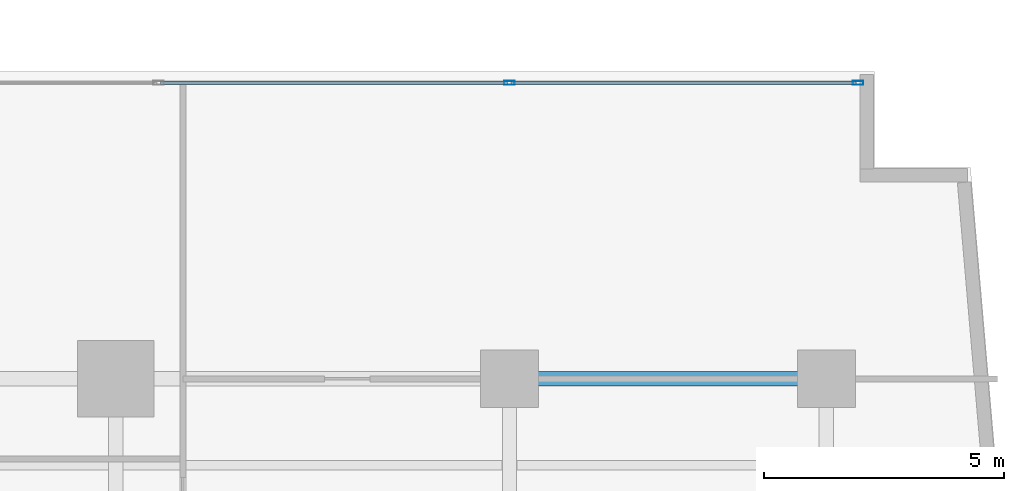
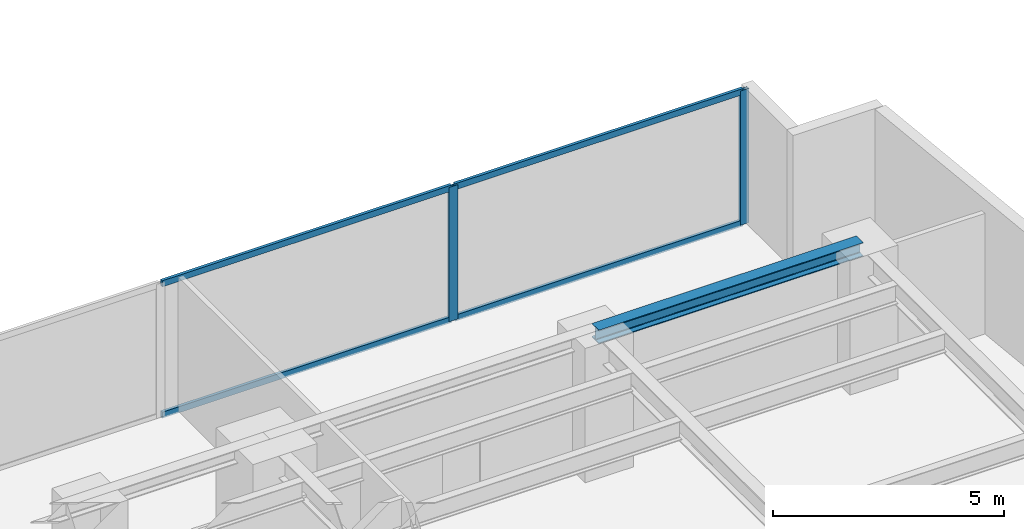
# One storey, part 14 of 30: 6 members, 1 beam, 1 element without a shape of its own.
"""IFC4 building model written with IfcOpenShell, lengths in metres."""

from ifc_helpers import new_model, si_unit, direction, frame, origin, origin_with_axes, origin_2d, place, context, subcontext, project, spatial, hollow_rectangle, i_section, extrude, source, transform, mapped, material, layer, layer_set, material_profile, profile_set, type_object, element, aggregate, save


model = new_model("IFC4")

# Units and contexts
model_context = context("Model", 3, precision=1e-05, world=origin(), true_north=direction((0.0, 1.0)))
body_context = subcontext(model_context, "Body", "Model", "MODEL_VIEW")
ifc_project = project(units=[si_unit("LENGTHUNIT", "METRE"), si_unit("AREAUNIT", "SQUARE_METRE"), si_unit("VOLUMEUNIT", "CUBIC_METRE"), si_unit("PLANEANGLEUNIT", "RADIAN"), si_unit("MASSUNIT", "GRAM", prefix="KILO")], contexts=[model_context])

# Site, building, storey
site_placement = place(None, origin())
site = spatial("IfcSite", under=ifc_project, at=site_placement, CompositionType="ELEMENT")
building_placement = place(site_placement, origin())
building = spatial("IfcBuilding", under=site, at=building_placement, Name="Kolvaren Waterfront Exchange", CompositionType="ELEMENT")
storey_placement = place(building_placement, frame((0.0, 0.0, 71.39990234375)))
storey = spatial("IfcBuildingStorey", under=building, at=storey_placement, Name="L18", CompositionType="ELEMENT", Elevation=71.39990234375)

# Beam
ifc_material_1 = material(Name="Steel S355", Category="steel")
ifc_material_profile_1 = material_profile(ifc_material_1, i_section(OverallWidth=0.300048828125, OverallDepth=0.360107421875, WebThickness=0.012451171875, FlangeThickness=0.0224609375, FilletRadius=0.027099609375, at=origin_2d()), Name="HEB360")
ifc_profile_set_1 = profile_set([ifc_material_profile_1], Name="Steel S355")
beam_type = type_object("IfcBeamType", Name="STR-BM-HEB360", PredefinedType="SPANDREL", material=ifc_profile_set_1)
beam_placement = place(storey_placement, frame((53.800048828125, 17.39990234375, 3.360107421875), z_axis=(1.0, 0.0, 0.0), x_axis=(0.0, 1.0, 0.0)))
element("IfcBeam", 1, at=beam_placement, inside=storey, type_object=beam_type, Name="L18 east-arm spandrel N5", PredefinedType="SPANDREL", context=body_context, shape_type="SweptSolid", body=[
    extrude(i_section(OverallWidth=0.300048828125, OverallDepth=0.360107421875, WebThickness=0.012451171875, FlangeThickness=0.0224609375, FilletRadius=0.027099609375, at=origin_2d()), origin(), (0.0, 0.0, 1.0), 6.599853515625),
])

# Curtain wall, members
ifc_material_2 = material(Name="Anodised bronze aluminium 6063-T6", Category="aluminium")
ifc_layer = layer(ifc_material_2, 0.219970703125, Name="Anodised bronze aluminium 6063-T6")
ifc_layer_set = layer_set([ifc_layer], Name="Anodised bronze aluminium 6063-T6")
curtain_wall_type = type_object("IfcCurtainWallType", Name="ARC-CW-SYS1", PredefinedType="USERDEFINED", material=ifc_layer_set)
curtain_wall_placement = place(storey_placement, origin())
curtain_wall = element("IfcCurtainWall", 2, at=curtain_wall_placement, inside=storey, type_object=curtain_wall_type, Name="L18 stick curtain wall CW1 (CW-L18-EN)", ObjectType="STICK CURTAIN WALL", PredefinedType="USERDEFINED")
ifc_material_3 = material(Name="Anodised aluminium 6063-T6", Category="aluminium")
ifc_material_profile_2 = material_profile(ifc_material_3, hollow_rectangle(XDim=0.074951171875, YDim=0.159912109375, WallThickness=0.00439453125, at=origin_2d()), Name="ALU-TRN-160x75x4.5")
ifc_profile_set_2 = profile_set([ifc_material_profile_2], Name="Anodised aluminium 6063-T6")
member_type_1 = type_object("IfcMemberType", Name="ARC-CWT-160", PredefinedType="USERDEFINED", material=ifc_profile_set_2)
shared_shape_1 = source(origin_with_axes(), body_context, "Body", "SweptSolid", [
    extrude(hollow_rectangle(XDim=0.074951171875, YDim=0.159912109375, WallThickness=0.00439453125, at=origin_2d()), origin(), (0.0, 0.0, 1.0), 7.1826171875),
])
member_1_placement = place(storey_placement, frame((53.83740234375, 23.56005859375, 0.03759765625), z_axis=(1.0, 0.0, 0.0), x_axis=(0.0, 1.0, 0.0)))
member_1 = element("IfcMember", 3, at=member_1_placement, type_object=member_type_1, Name="CW1 transom 4.1", ObjectType="TRANSOM", PredefinedType="USERDEFINED", context=body_context, shape_type="MappedRepresentation", body=[
    mapped(shared_shape_1, transform((0.0, 0.0, 0.0), x_axis=(1.0, 0.0, 0.0), y_axis=(0.0, 1.0, 0.0), z_axis=(0.0, 0.0, 1.0), scale=1.0)),
])
member_2_placement = place(storey_placement, frame((53.83740234375, 23.56005859375, 3.502685546875), z_axis=(1.0, 0.0, 0.0), x_axis=(0.0, 1.0, 0.0)))
member_2 = element("IfcMember", 4, at=member_2_placement, type_object=member_type_1, Name="CW1 transom 4.2", ObjectType="TRANSOM", PredefinedType="USERDEFINED", context=body_context, shape_type="MappedRepresentation", body=[
    mapped(shared_shape_1, transform((0.0, 0.0, 0.0), x_axis=(1.0, 0.0, 0.0), y_axis=(0.0, 1.0, 0.0), z_axis=(0.0, 0.0, 1.0), scale=1.0)),
])
shared_shape_2 = source(origin_with_axes(), body_context, "Body", "SweptSolid", [
    extrude(hollow_rectangle(XDim=0.074951171875, YDim=0.159912109375, WallThickness=0.00439453125, at=origin_2d()), origin(), (0.0, 0.0, 1.0), 7.22265625),
])
member_3_placement = place(storey_placement, frame((46.534912109375, 23.56005859375, 0.03759765625), z_axis=(1.0, 0.0, 0.0), x_axis=(0.0, 1.0, 0.0)))
member_3 = element("IfcMember", 5, at=member_3_placement, type_object=member_type_1, Name="CW1 transom 3.1", ObjectType="TRANSOM", PredefinedType="USERDEFINED", context=body_context, shape_type="MappedRepresentation", body=[
    mapped(shared_shape_2, transform((0.0, 0.0, 0.0), x_axis=(1.0, 0.0, 0.0), y_axis=(0.0, 1.0, 0.0), z_axis=(0.0, 0.0, 1.0), scale=1.0)),
])
member_4_placement = place(storey_placement, frame((46.534912109375, 23.56005859375, 3.502685546875), z_axis=(1.0, 0.0, 0.0), x_axis=(0.0, 1.0, 0.0)))
member_4 = element("IfcMember", 6, at=member_4_placement, type_object=member_type_1, Name="CW1 transom 3.2", ObjectType="TRANSOM", PredefinedType="USERDEFINED", context=body_context, shape_type="MappedRepresentation", body=[
    mapped(shared_shape_2, transform((0.0, 0.0, 0.0), x_axis=(1.0, 0.0, 0.0), y_axis=(0.0, 1.0, 0.0), z_axis=(0.0, 0.0, 1.0), scale=1.0)),
])
ifc_material_profile_3 = material_profile(ifc_material_3, hollow_rectangle(XDim=0.080078125, YDim=0.219970703125, WallThickness=0.0048828125, at=origin_2d()), Name="ALU-MUL-220x80x5")
ifc_profile_set_3 = profile_set([ifc_material_profile_3], Name="Anodised aluminium 6063-T6")
member_type_2 = type_object("IfcMemberType", Name="ARC-CWM-220", PredefinedType="MULLION", material=ifc_profile_set_3)
shared_shape_3 = source(origin_with_axes(), body_context, "Body", "SweptSolid", [
    extrude(hollow_rectangle(XDim=0.080078125, YDim=0.219970703125, WallThickness=0.0048828125, at=origin_2d()), origin(), (0.0, 0.0, 1.0), 3.5400390625),
])
member_5_placement = place(storey_placement, frame((53.797607421875, 23.56005859375, 0.0), z_axis=(0.0, 0.0, 1.0), x_axis=(0.0, 1.0, 0.0)))
member_5 = element("IfcMember", 7, at=member_5_placement, type_object=member_type_2, Name="CW1 mullion 4", PredefinedType="MULLION", context=body_context, shape_type="MappedRepresentation", body=[
    mapped(shared_shape_3, transform((0.0, 0.0, 0.0), x_axis=(1.0, 0.0, 0.0), y_axis=(0.0, 1.0, 0.0), z_axis=(0.0, 0.0, 1.0), scale=1.0)),
])
member_6_placement = place(storey_placement, frame((61.06005859375, 23.56005859375, 0.0), z_axis=(0.0, 0.0, 1.0), x_axis=(0.0, 1.0, 0.0)))
member_6 = element("IfcMember", 8, at=member_6_placement, type_object=member_type_2, Name="CW1 mullion 5", PredefinedType="MULLION", context=body_context, shape_type="MappedRepresentation", body=[
    mapped(shared_shape_3, transform((0.0, 0.0, 0.0), x_axis=(1.0, 0.0, 0.0), y_axis=(0.0, 1.0, 0.0), z_axis=(0.0, 0.0, 1.0), scale=1.0)),
])
aggregate(curtain_wall, [member_5, member_6, member_3, member_4, member_1, member_2])

save(model, "model.ifc")
